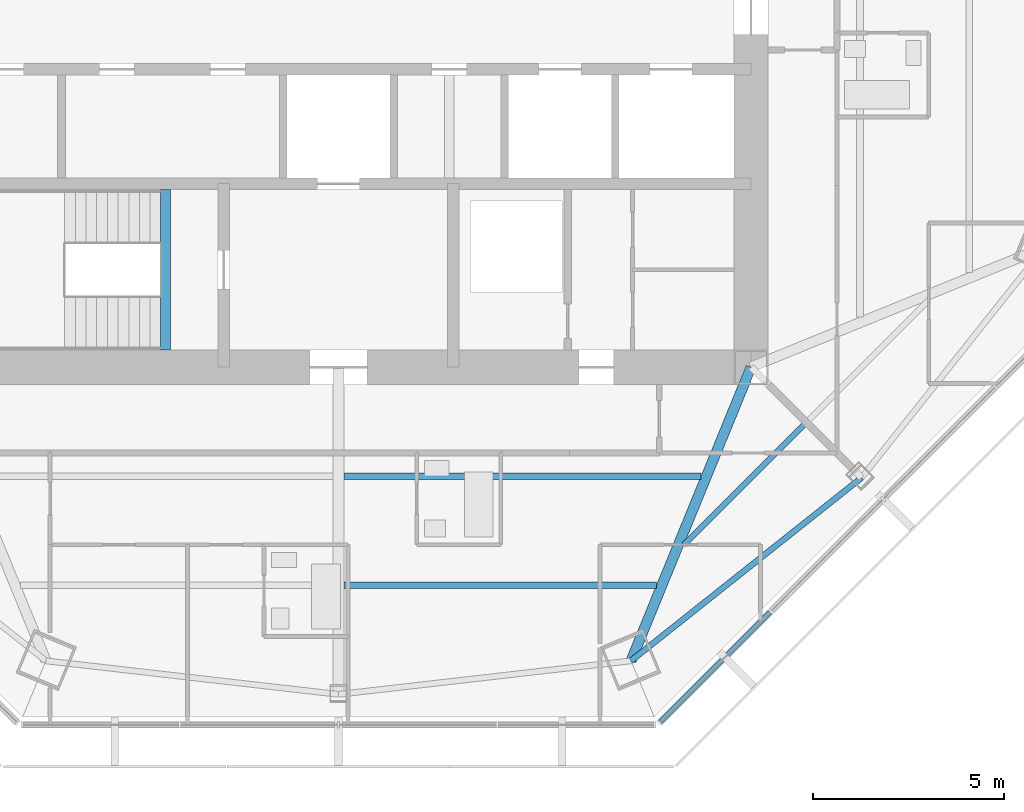
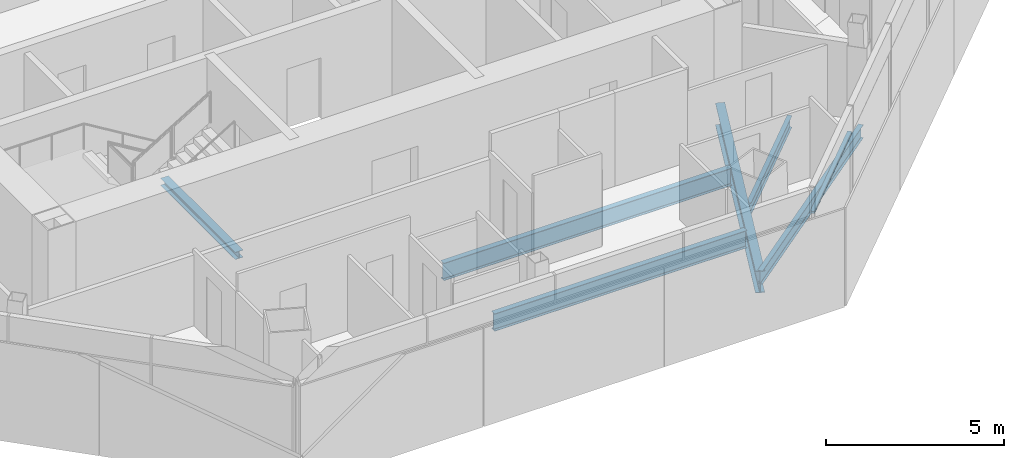
# One storey, part 3 of 15: 6 beams, 1 member, 1 element without a shape of its own.
"""IFC4 building model written with IfcOpenShell, lengths in metres."""

from ifc_helpers import new_model, si_unit, direction, frame, origin, origin_2d, place, context, subcontext, project, spatial, rectangle, i_section, extrude, source, transform, mapped, material, material_profile, profile_set, type_object, type_shapes, element, aggregate, save


model = new_model("IFC4")

# Units and contexts
model_context = context("Model", 3, precision=1e-05, world=origin(), true_north=direction((0.0, 1.0)))
body_context = subcontext(model_context, "Body", "Model", "MODEL_VIEW")
ifc_project = project(units=[si_unit("LENGTHUNIT", "METRE"), si_unit("AREAUNIT", "SQUARE_METRE"), si_unit("VOLUMEUNIT", "CUBIC_METRE"), si_unit("PLANEANGLEUNIT", "RADIAN"), si_unit("MASSUNIT", "GRAM", prefix="KILO")], contexts=[model_context])

# Site, building, storey
site_placement = place(None, origin())
site = spatial("IfcSite", under=ifc_project, at=site_placement, CompositionType="ELEMENT")
building_placement = place(site_placement, origin())
building = spatial("IfcBuilding", under=site, at=building_placement, Name="Mashrafa Tower", CompositionType="ELEMENT")
storey_placement = place(building_placement, frame((0.0, 0.0, 277.60009765625)))
storey = spatial("IfcBuildingStorey", under=building, at=storey_placement, Name="L67", CompositionType="ELEMENT", Elevation=277.60009765625)

# Beams
ifc_material_1 = material(Name="Steel ASTM A992", Category="steel")
ifc_material_profile_1 = material_profile(ifc_material_1, i_section(OverallWidth=0.140380859375, OverallDepth=0.40380859375, WebThickness=0.007080078125, FlangeThickness=0.01123046875, FilletRadius=0.01025390625, at=origin_2d()), Name="W16X31")
ifc_profile_set_1 = profile_set([ifc_material_profile_1], Name="Steel ASTM A992")
beam_type_1 = type_object("IfcBeamType", Name="Beam W16X31", PredefinedType="BEAM", material=ifc_profile_set_1)
beam_1_placement = place(storey_placement, frame((12.1845703125, -12.310546875, -0.402099609375), z_axis=(-0.707106781187, -0.707106781187, 0.0), x_axis=(0.707106781187, -0.707106781187, 0.0)))
element("IfcBeam", 1, at=beam_1_placement, inside=storey, type_object=beam_type_1, Name="Floor beam L67 018", PredefinedType="BEAM", context=body_context, shape_type="SweptSolid", body=[
    extrude(i_section(OverallWidth=0.140380859375, OverallDepth=0.40380859375, WebThickness=0.007080078125, FlangeThickness=0.01123046875, FilletRadius=0.01025390625, at=origin_2d()), origin(), (0.0, 0.0, 1.0), 4.44140625),
])
ifc_material_2 = material(Name="Steel ASTM A992", Category="steel")
ifc_material_profile_2 = material_profile(ifc_material_2, i_section(OverallWidth=0.15234375, OverallDepth=0.449462890625, WebThickness=0.007568359375, FlangeThickness=0.0107421875, FilletRadius=0.01025390625, at=origin_2d()), Name="W18X35")
ifc_profile_set_2 = profile_set([ifc_material_profile_2], Name="Steel ASTM A992")
beam_type_2 = type_object("IfcBeamType", Name="Beam W18X35", PredefinedType="BEAM", material=ifc_profile_set_2)
beam_2_placement = place(storey_placement, frame((7.658447265625, -18.4892578125, -0.4248046875), z_axis=(0.783057768941, 0.62194897741, 0.0), x_axis=(-0.62194897741, 0.783057768941, 0.0)))
element("IfcBeam", 2, at=beam_2_placement, inside=storey, type_object=beam_type_2, Name="Spandrel beam L67 050", PredefinedType="BEAM", context=body_context, shape_type="SweptSolid", body=[
    extrude(i_section(OverallWidth=0.15234375, OverallDepth=0.449462890625, WebThickness=0.007568359375, FlangeThickness=0.0107421875, FilletRadius=0.01025390625, at=origin_2d()), origin(), (0.0, 0.0, 1.0), 7.708740234375),
])
ifc_material_3 = material(Name="Steel ASTM A992", Category="steel")
ifc_material_profile_3 = material_profile(ifc_material_3, i_section(OverallWidth=0.177978515625, OverallDepth=0.599365234375, WebThickness=0.010009765625, FlangeThickness=0.012939453125, FilletRadius=0.012939453125, at=origin_2d()), Name="W24X55")
ifc_profile_set_3 = profile_set([ifc_material_profile_3], Name="Steel ASTM A992")
beam_type_3 = type_object("IfcBeamType", Name="Beam W24X55", PredefinedType="BEAM", material=ifc_profile_set_3)
beam_3_placement = place(storey_placement, frame((8.322509765625, -16.51171875, -0.499755859375), z_axis=(-1.0, 0.0, 0.0), x_axis=(0.0, -1.0, 0.0)))
element("IfcBeam", 3, at=beam_3_placement, inside=storey, type_object=beam_type_3, Name="Floor beam L67 015", PredefinedType="BEAM", context=body_context, shape_type="SweptSolid", body=[
    extrude(i_section(OverallWidth=0.177978515625, OverallDepth=0.599365234375, WebThickness=0.010009765625, FlangeThickness=0.012939453125, FilletRadius=0.012939453125, at=origin_2d()), origin(), (0.0, 0.0, 1.0), 8.176513671875),
])
beam_4_placement = place(storey_placement, frame((9.4892578125, -13.65576171875, -0.499755859375), z_axis=(-1.0, 0.0, 0.0), x_axis=(0.0, -1.0, 0.0)))
element("IfcBeam", 4, at=beam_4_placement, inside=storey, type_object=beam_type_3, Name="Floor beam L67 017", PredefinedType="BEAM", context=body_context, shape_type="SweptSolid", body=[
    extrude(i_section(OverallWidth=0.177978515625, OverallDepth=0.599365234375, WebThickness=0.010009765625, FlangeThickness=0.012939453125, FilletRadius=0.012939453125, at=origin_2d()), origin(), (0.0, 0.0, 1.0), 9.34326171875),
])
ifc_material_4 = material(Name="Steel ASTM A992", Category="steel")
ifc_material_profile_4 = material_profile(ifc_material_4, i_section(OverallWidth=0.2666015625, OverallDepth=0.761962890625, WebThickness=0.014404296875, FlangeThickness=0.021484375, FilletRadius=0.0166015625, at=origin_2d()), Name="W30X116")
ifc_profile_set_4 = profile_set([ifc_material_profile_4], Name="Steel ASTM A992")
beam_type_4 = type_object("IfcBeamType", Name="Beam W30X116", PredefinedType="BEAM", material=ifc_profile_set_4)
beam_5_placement = place(storey_placement, frame((10.800048828125, -10.800048828125, -0.5810546875), z_axis=(-0.378221938495, -0.925714948157, 0.0), x_axis=(0.925714948157, -0.378221938495, 0.0)))
element("IfcBeam", 5, at=beam_5_placement, inside=storey, type_object=beam_type_4, Name="Radial girder L67 034", PredefinedType="BEAM", context=body_context, shape_type="SweptSolid", body=[
    extrude(i_section(OverallWidth=0.2666015625, OverallDepth=0.761962890625, WebThickness=0.014404296875, FlangeThickness=0.021484375, FilletRadius=0.0166015625, at=origin_2d()), origin(), (0.0, 0.0, 1.0), 8.30615234375),
])
ifc_material_5 = material(Name="Steel ASTM A992", Category="steel")
ifc_material_profile_5 = material_profile(ifc_material_5, i_section(OverallWidth=0.25390625, OverallDepth=0.25390625, WebThickness=0.008544921875, FlangeThickness=0.01416015625, FilletRadius=0.010009765625, at=origin_2d()), Name="W10X49")
ifc_profile_set_5 = profile_set([ifc_material_profile_5], Name="Steel ASTM A992")
beam_type_5 = type_object("IfcBeamType", Name="Hoistway beam W10X49", PredefinedType="BEAM", material=ifc_profile_set_5)
beam_6_placement = place(storey_placement, frame((-4.530029296875, -10.35009765625, -0.3271484375), z_axis=(0.0, 1.0, 0.0), x_axis=(-1.0, 0.0, 0.0)))
element("IfcBeam", 6, at=beam_6_placement, inside=storey, type_object=beam_type_5, Name="Stair S3 landing beam L67", PredefinedType="BEAM", context=body_context, shape_type="SweptSolid", body=[
    extrude(i_section(OverallWidth=0.25390625, OverallDepth=0.25390625, WebThickness=0.008544921875, FlangeThickness=0.01416015625, FilletRadius=0.010009765625, at=origin_2d()), origin(), (0.0, 0.0, 1.0), 4.2001953125),
])

# Curtain wall, member
ifc_material_6 = material(Name="Unitised aluminium curtain wall", Category="aluminium")
curtain_wall_type = type_object("IfcCurtainWallType", Name="Apartment curtain wall, zone 4 CW-D 160 deep", PredefinedType="NOTDEFINED", material=ifc_material_6)
curtain_wall_placement = place(storey_placement, origin())
curtain_wall = element("IfcCurtainWall", 7, at=curtain_wall_placement, inside=storey, type_object=curtain_wall_type, Name="Apartment curtain wall, zone 4 L67 south-east", PredefinedType="NOTDEFINED")
ifc_material_7 = material(Name="Extruded aluminium transom", Category="aluminium")
ifc_material_profile_6 = material_profile(ifc_material_7, rectangle(XDim=0.1279296875, YDim=0.074951171875, at=origin_2d()), Name="Transom 75x128")
ifc_profile_set_6 = profile_set([ifc_material_profile_6], Name="Extruded aluminium transom")
member_type = type_object("IfcMemberType", Name="Transom CW-D 75 x 128", PredefinedType="MULLION", material=ifc_profile_set_6)
shared_shape = source(origin(), body_context, "Body", "SweptSolid", [
    extrude(rectangle(XDim=0.1279296875, YDim=0.074951171875, at=origin_2d()), origin(), (0.0, 0.0, 1.0), 4.06396484375),
])
type_shapes(member_type, [shared_shape])
member_placement = place(storey_placement, frame((8.42431640625, -20.0888671875, 2.5), z_axis=(0.707076743304, 0.707136817793, 0.0), x_axis=(-0.707136817793, 0.707076743304, 0.0)))
member = element("IfcMember", 8, at=member_placement, type_object=member_type, Name="CW-D transom 1", PredefinedType="MULLION", context=body_context, shape_type="MappedRepresentation", body=[
    mapped(shared_shape, transform((0.0, 0.0, 0.0))),
])
aggregate(curtain_wall, [member])

save(model, "model.ifc")
